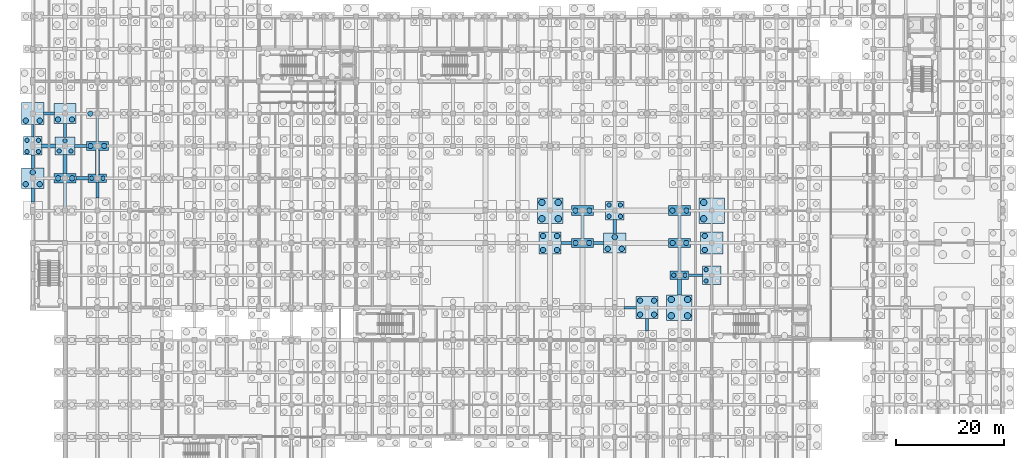
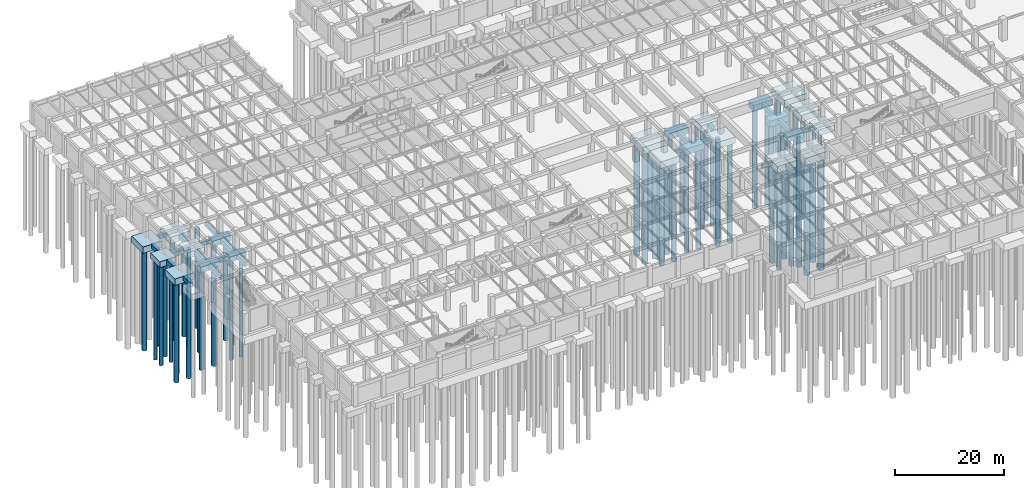
# One storey, part 8 of 54: 60 piles, 45 footings.
"""IFC4 building model written with IfcOpenShell, lengths in metres."""

from ifc_helpers import new_model, si_unit, direction, frame, origin, origin_2d, place, context, subcontext, project, spatial, rectangle, circle, extrude, material, material_profile, profile_set, type_object, element, save


model = new_model("IFC4")

# Units and contexts
model_context = context("Model", 3, precision=1e-05, world=origin(), true_north=direction((0.0, 1.0)))
body_context = subcontext(model_context, "Body", "Model", "MODEL_VIEW")
ifc_project = project(units=[si_unit("LENGTHUNIT", "METRE"), si_unit("AREAUNIT", "SQUARE_METRE"), si_unit("VOLUMEUNIT", "CUBIC_METRE"), si_unit("PLANEANGLEUNIT", "RADIAN"), si_unit("MASSUNIT", "GRAM", prefix="KILO"), si_unit("THERMODYNAMICTEMPERATUREUNIT", "KELVIN"), si_unit("POWERUNIT", "WATT")], contexts=[model_context])

# Site, building, storey
site_placement = place(None, origin())
site = spatial("IfcSite", under=ifc_project, at=site_placement, CompositionType="ELEMENT")
building_placement = place(site_placement, origin())
building = spatial("IfcBuilding", under=site, at=building_placement, Name="Phaisarnlok Congress Hotel", CompositionType="ELEMENT")
storey_placement = place(building_placement, frame((0.0, 0.0, -4.800048828125)))
storey = spatial("IfcBuildingStorey", under=building, at=storey_placement, Name="B01", CompositionType="ELEMENT", Elevation=-4.800048828125)

# Footings
ifc_material_1 = material(Name="Concrete C40/50", Category="concrete")
footing_type_1 = type_object("IfcFootingType", Name="CAP-2P-A", PredefinedType="PILE_CAP", material=ifc_material_1)
for number, where, z_axis, x_axis, name in (
    (1, (12.0, 66.0, -1.69970703125), (0.0, 0.0, 1.0), (1.0, 0.0, 0.0), "Pile cap PC-01 at (12,66)"),
    (2, (120.0, 48.0, -1.69970703125), (0.0, 0.0, 1.0), (1.0, 0.0, 0.0), "Pile cap PC-01 at (120,48)"),
):
    element("IfcFooting", number, at=place(storey_placement, frame(where, z_axis=z_axis, x_axis=x_axis)), inside=storey, type_object=footing_type_1, Name=name, PredefinedType="PILE_CAP", context=body_context, shape_type="SweptSolid", body=[
        extrude(rectangle(XDim=3.43994140625, YDim=1.5400390625, at=origin_2d()), origin(), (0.0, 0.0, 1.0), 1.199951171875),
    ])
footing_type_2 = type_object("IfcFootingType", Name="CAP-2P-B", PredefinedType="PILE_CAP", material=ifc_material_1)
for number, where, z_axis, x_axis, name in (
    (3, (12.0, 72.0, -1.7998046875), (0.0, 0.0, 1.0), (1.0, 0.0, 0.0), "Pile cap PC-02 at (12,72)"),
    (4, (102.0, 54.0, -1.7998046875), (0.0, 0.0, 1.0), (1.0, 0.0, 0.0), "Pile cap PC-02 at (102,54)"),
    (5, (120.0, 54.0, -1.7998046875), (0.0, 0.0, 1.0), (1.0, 0.0, 0.0), "Pile cap PC-02 at (120,54)"),
):
    element("IfcFooting", number, at=place(storey_placement, frame(where, z_axis=z_axis, x_axis=x_axis)), inside=storey, type_object=footing_type_2, Name=name, PredefinedType="PILE_CAP", context=body_context, shape_type="SweptSolid", body=[
        extrude(rectangle(XDim=4.080078125, YDim=1.639892578125, at=origin_2d()), origin(), (0.0, 0.0, 1.0), 1.300048828125),
    ])
footing_type_3 = type_object("IfcFootingType", Name="CAP-2P-C", PredefinedType="PILE_CAP", material=ifc_material_1)
for number, where, z_axis, x_axis, name in (
    (6, (6.0, 66.0, -1.89990234375), (0.0, 0.0, 1.0), (1.0, 0.0, 0.0), "Pile cap PC-03 at (6,66)"),
    (7, (102.0, 60.0, -1.89990234375), (0.0, 0.0, 1.0), (1.0, 0.0, 0.0), "Pile cap PC-03 at (102,60)"),
    (8, (120.0, 60.0, -1.89990234375), (0.0, 0.0, 1.0), (1.0, 0.0, 0.0), "Pile cap PC-03 at (120,60)"),
):
    element("IfcFooting", number, at=place(storey_placement, frame(where, z_axis=z_axis, x_axis=x_axis)), inside=storey, type_object=footing_type_3, Name=name, PredefinedType="PILE_CAP", context=body_context, shape_type="SweptSolid", body=[
        extrude(rectangle(XDim=4.1201171875, YDim=1.840087890625, at=origin_2d()), origin(), (0.0, 0.0, 1.0), 1.39990234375),
    ])
footing_type_4 = type_object("IfcFootingType", Name="CAP-3P-A", PredefinedType="PILE_CAP", material=ifc_material_1)
footing_1_placement = place(storey_placement, frame((6.0, 72.0, -1.85009765625), z_axis=(0.0, 0.0, 1.0), x_axis=(1.0, 0.0, 0.0)))
element("IfcFooting", 9, at=footing_1_placement, inside=storey, type_object=footing_type_4, Name="Pile cap PC-04 at (6,72)", PredefinedType="PILE_CAP", context=body_context, shape_type="SweptSolid", body=[
    extrude(rectangle(XDim=3.639892578125, YDim=3.340087890625, at=origin_2d()), origin(), (0.0, 0.0, 1.0), 1.35009765625),
])
footing_type_5 = type_object("IfcFootingType", Name="CAP-3P-B", PredefinedType="PILE_CAP", material=ifc_material_1)
for number, where, z_axis, x_axis, name in (
    (10, (0.0, 66.0, -1.94970703125), (0.0, 0.0, 1.0), (1.0, 0.0, 0.0), "Pile cap PC-05 at (0,66)"),
    (11, (6.0, 78.0, -1.94970703125), (0.0, 0.0, 1.0), (1.0, 0.0, 0.0), "Pile cap PC-05 at (6,78)"),
    (12, (108.0, 54.0, -1.94970703125), (0.0, 0.0, 1.0), (1.0, 0.0, 0.0), "Pile cap PC-05 at (108,54)"),
):
    element("IfcFooting", number, at=place(storey_placement, frame(where, z_axis=z_axis, x_axis=x_axis)), inside=storey, type_object=footing_type_5, Name=name, PredefinedType="PILE_CAP", context=body_context, shape_type="SweptSolid", body=[
        extrude(rectangle(XDim=4.1201171875, YDim=3.739990234375, at=origin_2d()), origin(), (0.0, 0.0, 1.0), 1.449951171875),
    ])
footing_type_6 = type_object("IfcFootingType", Name="CAP-4P-A", PredefinedType="PILE_CAP", material=ifc_material_1)
for number, where, z_axis, x_axis, name in (
    (13, (0.0, 72.0, -1.7998046875), (0.0, 0.0, 1.0), (1.0, 0.0, 0.0), "Pile cap PC-06 at (0,72)"),
    (14, (108.0, 60.0, -1.7998046875), (0.0, 0.0, 1.0), (1.0, 0.0, 0.0), "Pile cap PC-06 at (108,60)"),
    (15, (126.0, 48.0, -1.7998046875), (0.0, 0.0, 1.0), (1.0, 0.0, 0.0), "Pile cap PC-06 at (126,48)"),
):
    element("IfcFooting", number, at=place(storey_placement, frame(where, z_axis=z_axis, x_axis=x_axis)), inside=storey, type_object=footing_type_6, Name=name, PredefinedType="PILE_CAP", context=body_context, shape_type="SweptSolid", body=[
        extrude(rectangle(XDim=3.43994140625, YDim=3.43994140625, at=origin_2d()), origin(), (0.0, 0.0, 1.0), 1.300048828125),
    ])
footing_type_7 = type_object("IfcFootingType", Name="CAP-4P-B", PredefinedType="PILE_CAP", material=ifc_material_1)
for number, where, z_axis, x_axis, name in (
    (16, (0.0, 78.0, -1.94970703125), (0.0, 0.0, 1.0), (1.0, 0.0, 0.0), "Pile cap PC-07 at (0,78)"),
    (17, (96.0, 54.0, -1.94970703125), (0.0, 0.0, 1.0), (1.0, 0.0, 0.0), "Pile cap PC-07 at (96,54)"),
    (18, (114.0, 42.0, -1.94970703125), (0.0, 0.0, 1.0), (1.0, 0.0, 0.0), "Pile cap PC-07 at (114,42)"),
    (19, (126.0, 54.0, -1.94970703125), (0.0, 0.0, 1.0), (1.0, 0.0, 0.0), "Pile cap PC-07 at (126,54)"),
):
    element("IfcFooting", number, at=place(storey_placement, frame(where, z_axis=z_axis, x_axis=x_axis)), inside=storey, type_object=footing_type_7, Name=name, PredefinedType="PILE_CAP", context=body_context, shape_type="SweptSolid", body=[
        extrude(rectangle(XDim=4.1201171875, YDim=4.1201171875, at=origin_2d()), origin(), (0.0, 0.0, 1.0), 1.449951171875),
    ])
footing_type_8 = type_object("IfcFootingType", Name="CAP-4P-C", PredefinedType="PILE_CAP", material=ifc_material_1)
for number, where, z_axis, x_axis, name in (
    (20, (96.0, 60.0, -2.10009765625), (0.0, 0.0, 1.0), (1.0, 0.0, 0.0), "Pile cap PC-08 at (96,60)"),
    (21, (120.0, 42.0, -2.10009765625), (0.0, 0.0, 1.0), (1.0, 0.0, 0.0), "Pile cap PC-08 at (120,42)"),
    (22, (126.0, 60.0, -2.10009765625), (0.0, 0.0, 1.0), (1.0, 0.0, 0.0), "Pile cap PC-08 at (126,60)"),
):
    element("IfcFooting", number, at=place(storey_placement, frame(where, z_axis=z_axis, x_axis=x_axis)), inside=storey, type_object=footing_type_8, Name=name, PredefinedType="PILE_CAP", context=body_context, shape_type="SweptSolid", body=[
        extrude(rectangle(XDim=4.719970703125, YDim=4.760009765625, at=origin_2d()), origin(), (0.0, 0.0, 1.0), 1.60009765625),
    ])
ifc_material_profile_1 = material_profile(ifc_material_1, rectangle(XDim=0.5, YDim=0.800048828125, at=origin_2d()), Name="FB-500x800")
ifc_profile_set_1 = profile_set([ifc_material_profile_1], Name="Concrete C40/50")
footing_type_9 = type_object("IfcFootingType", Name="FB-500x800", PredefinedType="FOOTING_BEAM", material=ifc_profile_set_1)
footing_2_placement = place(storey_placement, frame((0.0, 73.64501953125, -0.89990234375), z_axis=(0.0, 1.0, 0.0), x_axis=(-1.0, 0.0, 0.0)))
element("IfcFooting", 23, at=footing_2_placement, inside=storey, type_object=footing_type_9, Name="Ground tie beam FB-01", PredefinedType="FOOTING_BEAM", context=body_context, shape_type="SweptSolid", body=[
    extrude(rectangle(XDim=0.5, YDim=0.800048828125, at=origin_2d()), origin(), (0.0, 0.0, 1.0), 2.369873046875),
])
footing_3_placement = place(storey_placement, frame((7.7451171875, 72.0, -0.89990234375), z_axis=(1.0, 0.0, 0.0), x_axis=(0.0, 1.0, 0.0)))
element("IfcFooting", 24, at=footing_3_placement, inside=storey, type_object=footing_type_9, Name="Ground tie beam FB-01", PredefinedType="FOOTING_BEAM", context=body_context, shape_type="SweptSolid", body=[
    extrude(rectangle(XDim=0.5, YDim=0.800048828125, at=origin_2d()), origin(), (0.0, 0.0, 1.0), 2.289794921875),
])
footing_4_placement = place(storey_placement, frame((12.0, 72.7451171875, -0.89990234375), z_axis=(0.0, 1.0, 0.0), x_axis=(-1.0, 0.0, 0.0)))
element("IfcFooting", 25, at=footing_4_placement, inside=storey, type_object=footing_type_9, Name="Ground tie beam FB-01", PredefinedType="FOOTING_BEAM", context=body_context, shape_type="SweptSolid", body=[
    extrude(rectangle(XDim=0.5, YDim=0.800048828125, at=origin_2d()), origin(), (0.0, 0.0, 1.0), 4.409912109375),
])
footing_5_placement = place(storey_placement, frame((97.985107421875, 54.0, -0.89990234375), z_axis=(1.0, 0.0, 0.0), x_axis=(0.0, 1.0, 0.0)))
element("IfcFooting", 26, at=footing_5_placement, inside=storey, type_object=footing_type_9, Name="Ground tie beam FB-01", PredefinedType="FOOTING_BEAM", context=body_context, shape_type="SweptSolid", body=[
    extrude(rectangle(XDim=0.5, YDim=0.800048828125, at=origin_2d()), origin(), (0.0, 0.0, 1.0), 2.0498046875),
])
footing_6_placement = place(storey_placement, frame((109.7451171875, 42.0, -0.89990234375), z_axis=(1.0, 0.0, 0.0), x_axis=(0.0, 1.0, 0.0)))
element("IfcFooting", 27, at=footing_6_placement, inside=storey, type_object=footing_type_9, Name="Ground tie beam FB-01", PredefinedType="FOOTING_BEAM", context=body_context, shape_type="SweptSolid", body=[
    extrude(rectangle(XDim=0.5, YDim=0.800048828125, at=origin_2d()), origin(), (0.0, 0.0, 1.0), 2.269775390625),
])
footing_7_placement = place(storey_placement, frame((121.64501953125, 48.0, -0.89990234375), z_axis=(1.0, 0.0, 0.0), x_axis=(0.0, 1.0, 0.0)))
element("IfcFooting", 28, at=footing_7_placement, inside=storey, type_object=footing_type_9, Name="Ground tie beam FB-01", PredefinedType="FOOTING_BEAM", context=body_context, shape_type="SweptSolid", body=[
    extrude(rectangle(XDim=0.5, YDim=0.800048828125, at=origin_2d()), origin(), (0.0, 0.0, 1.0), 2.7099609375),
])
ifc_material_profile_2 = material_profile(ifc_material_1, rectangle(XDim=0.60009765625, YDim=1.0, at=origin_2d()), Name="FB-600x1000")
ifc_profile_set_2 = profile_set([ifc_material_profile_2], Name="Concrete C40/50")
footing_type_10 = type_object("IfcFootingType", Name="FB-600x1000", PredefinedType="FOOTING_BEAM", material=ifc_profile_set_2)
footing_8_placement = place(storey_placement, frame((0.0, 67.794921875, -1.0), z_axis=(0.0, 1.0, 0.0), x_axis=(-1.0, 0.0, 0.0)))
element("IfcFooting", 29, at=footing_8_placement, inside=storey, type_object=footing_type_10, Name="Ground tie beam FB-03", PredefinedType="FOOTING_BEAM", context=body_context, shape_type="SweptSolid", body=[
    extrude(rectangle(XDim=0.60009765625, YDim=1.0, at=origin_2d()), origin(), (0.0, 0.0, 1.0), 2.56005859375),
])
footing_9_placement = place(storey_placement, frame((7.985107421875, 66.0, -1.0), z_axis=(1.0, 0.0, 0.0), x_axis=(0.0, 1.0, 0.0)))
element("IfcFooting", 30, at=footing_9_placement, inside=storey, type_object=footing_type_10, Name="Ground tie beam FB-03", PredefinedType="FOOTING_BEAM", context=body_context, shape_type="SweptSolid", body=[
    extrude(rectangle(XDim=0.60009765625, YDim=1.0, at=origin_2d()), origin(), (0.0, 0.0, 1.0), 2.369873046875),
])
footing_10_placement = place(storey_placement, frame((12.0, 62.304931640625, -1.0), z_axis=(0.0, 1.0, 0.0), x_axis=(-1.0, 0.0, 0.0)))
element("IfcFooting", 31, at=footing_10_placement, inside=storey, type_object=footing_type_10, Name="Ground tie beam FB-03", PredefinedType="FOOTING_BEAM", context=body_context, shape_type="SweptSolid", body=[
    extrude(rectangle(XDim=0.60009765625, YDim=1.0, at=origin_2d()), origin(), (0.0, 0.0, 1.0), 3.0),
])
for number, where, z_axis, x_axis, name in (
    (32, (102.0, 54.7451171875, -1.0), (0.0, 1.0, 0.0), (-1.0, 0.0, 0.0), "Ground tie beam FB-03"),
    (33, (120.0, 54.7451171875, -1.0), (0.0, 1.0, 0.0), (-1.0, 0.0, 0.0), "Ground tie beam FB-03"),
):
    element("IfcFooting", number, at=place(storey_placement, frame(where, z_axis=z_axis, x_axis=x_axis)), inside=storey, type_object=footing_type_10, Name=name, PredefinedType="FOOTING_BEAM", context=body_context, shape_type="SweptSolid", body=[
        extrude(rectangle(XDim=0.60009765625, YDim=1.0, at=origin_2d()), origin(), (0.0, 0.0, 1.0), 4.409912109375),
    ])
ifc_material_profile_3 = material_profile(ifc_material_1, rectangle(XDim=0.60009765625, YDim=0.89990234375, at=origin_2d()), Name="FB-600x900")
ifc_profile_set_3 = profile_set([ifc_material_profile_3], Name="Concrete C40/50")
footing_type_11 = type_object("IfcFootingType", Name="FB-600x900", PredefinedType="FOOTING_BEAM", material=ifc_profile_set_3)
footing_11_placement = place(storey_placement, frame((0.0, 61.594970703125, -0.949951171875), z_axis=(0.0, 1.0, 0.0), x_axis=(-1.0, 0.0, 0.0)))
element("IfcFooting", 34, at=footing_11_placement, inside=storey, type_object=footing_type_11, Name="Ground tie beam FB-02", PredefinedType="FOOTING_BEAM", context=body_context, shape_type="SweptSolid", body=[
    extrude(rectangle(XDim=0.60009765625, YDim=0.89990234375, at=origin_2d()), origin(), (0.0, 0.0, 1.0), 2.610107421875),
])
footing_12_placement = place(storey_placement, frame((1.985107421875, 78.0, -0.949951171875), z_axis=(1.0, 0.0, 0.0), x_axis=(0.0, 1.0, 0.0)))
element("IfcFooting", 35, at=footing_12_placement, inside=storey, type_object=footing_type_11, Name="Ground tie beam FB-02", PredefinedType="FOOTING_BEAM", context=body_context, shape_type="SweptSolid", body=[
    extrude(rectangle(XDim=0.60009765625, YDim=0.89990234375, at=origin_2d()), origin(), (0.0, 0.0, 1.0), 2.02978515625),
])
footing_13_placement = place(storey_placement, frame((6.0, 60.7451171875, -0.949951171875), z_axis=(0.0, 1.0, 0.0), x_axis=(-1.0, 0.0, 0.0)))
element("IfcFooting", 36, at=footing_13_placement, inside=storey, type_object=footing_type_11, Name="Ground tie beam FB-02", PredefinedType="FOOTING_BEAM", context=body_context, shape_type="SweptSolid", body=[
    extrude(rectangle(XDim=0.60009765625, YDim=0.89990234375, at=origin_2d()), origin(), (0.0, 0.0, 1.0), 4.409912109375),
])
footing_14_placement = place(storey_placement, frame((6.0, 73.594970703125, -0.949951171875), z_axis=(0.0, 1.0, 0.0), x_axis=(-1.0, 0.0, 0.0)))
element("IfcFooting", 37, at=footing_14_placement, inside=storey, type_object=footing_type_11, Name="Ground tie beam FB-02", PredefinedType="FOOTING_BEAM", context=body_context, shape_type="SweptSolid", body=[
    extrude(rectangle(XDim=0.60009765625, YDim=0.89990234375, at=origin_2d()), origin(), (0.0, 0.0, 1.0), 2.610107421875),
])
footing_15_placement = place(storey_placement, frame((103.965087890625, 54.0, -0.949951171875), z_axis=(1.0, 0.0, 0.0), x_axis=(0.0, 1.0, 0.0)))
element("IfcFooting", 38, at=footing_15_placement, inside=storey, type_object=footing_type_11, Name="Ground tie beam FB-02", PredefinedType="FOOTING_BEAM", context=body_context, shape_type="SweptSolid", body=[
    extrude(rectangle(XDim=0.60009765625, YDim=0.89990234375, at=origin_2d()), origin(), (0.0, 0.0, 1.0), 2.0498046875),
])
footing_16_placement = place(storey_placement, frame((108.0, 55.794921875, -0.949951171875), z_axis=(0.0, 1.0, 0.0), x_axis=(-1.0, 0.0, 0.0)))
element("IfcFooting", 39, at=footing_16_placement, inside=storey, type_object=footing_type_11, Name="Ground tie beam FB-02", PredefinedType="FOOTING_BEAM", context=body_context, shape_type="SweptSolid", body=[
    extrude(rectangle(XDim=0.60009765625, YDim=0.89990234375, at=origin_2d()), origin(), (0.0, 0.0, 1.0), 2.56005859375),
])
footing_17_placement = place(storey_placement, frame((114.0, 37.64501953125, -0.949951171875), z_axis=(0.0, 1.0, 0.0), x_axis=(-1.0, 0.0, 0.0)))
element("IfcFooting", 40, at=footing_17_placement, inside=storey, type_object=footing_type_11, Name="Ground tie beam FB-02", PredefinedType="FOOTING_BEAM", context=body_context, shape_type="SweptSolid", body=[
    extrude(rectangle(XDim=0.60009765625, YDim=0.89990234375, at=origin_2d()), origin(), (0.0, 0.0, 1.0), 2.369873046875),
])
footing_18_placement = place(storey_placement, frame((120.0, 48.695068359375, -0.949951171875), z_axis=(0.0, 1.0, 0.0), x_axis=(-1.0, 0.0, 0.0)))
element("IfcFooting", 41, at=footing_18_placement, inside=storey, type_object=footing_type_11, Name="Ground tie beam FB-02", PredefinedType="FOOTING_BEAM", context=body_context, shape_type="SweptSolid", body=[
    extrude(rectangle(XDim=0.60009765625, YDim=0.89990234375, at=origin_2d()), origin(), (0.0, 0.0, 1.0), 4.559814453125),
])
ifc_material_profile_4 = material_profile(ifc_material_1, rectangle(XDim=0.699951171875, YDim=1.10009765625, at=origin_2d()), Name="FB-700x1100")
ifc_profile_set_4 = profile_set([ifc_material_profile_4], Name="Concrete C40/50")
footing_type_12 = type_object("IfcFootingType", Name="FB-700x1100", PredefinedType="FOOTING_BEAM", material=ifc_profile_set_4)
footing_19_placement = place(storey_placement, frame((1.64501953125, 72.0, -1.050048828125), z_axis=(1.0, 0.0, 0.0), x_axis=(0.0, 1.0, 0.0)))
element("IfcFooting", 42, at=footing_19_placement, inside=storey, type_object=footing_type_12, Name="Ground tie beam FB-04", PredefinedType="FOOTING_BEAM", context=body_context, shape_type="SweptSolid", body=[
    extrude(rectangle(XDim=0.699951171875, YDim=1.10009765625, at=origin_2d()), origin(), (0.0, 0.0, 1.0), 2.60986328125),
])
footing_20_placement = place(storey_placement, frame((6.0, 66.844970703125, -1.050048828125), z_axis=(0.0, 1.0, 0.0), x_axis=(-1.0, 0.0, 0.0)))
element("IfcFooting", 43, at=footing_20_placement, inside=storey, type_object=footing_type_12, Name="Ground tie beam FB-04", PredefinedType="FOOTING_BEAM", context=body_context, shape_type="SweptSolid", body=[
    extrude(rectangle(XDim=0.699951171875, YDim=1.10009765625, at=origin_2d()), origin(), (0.0, 0.0, 1.0), 3.56005859375),
])
footing_21_placement = place(storey_placement, frame((12.0, 66.695068359375, -1.050048828125), z_axis=(0.0, 1.0, 0.0), x_axis=(-1.0, 0.0, 0.0)))
element("IfcFooting", 44, at=footing_21_placement, inside=storey, type_object=footing_type_12, Name="Ground tie beam FB-04", PredefinedType="FOOTING_BEAM", context=body_context, shape_type="SweptSolid", body=[
    extrude(rectangle(XDim=0.699951171875, YDim=1.10009765625, at=origin_2d()), origin(), (0.0, 0.0, 1.0), 4.559814453125),
])
footing_22_placement = place(storey_placement, frame((120.0, 44.304931640625, -1.050048828125), z_axis=(0.0, 1.0, 0.0), x_axis=(-1.0, 0.0, 0.0)))
element("IfcFooting", 45, at=footing_22_placement, inside=storey, type_object=footing_type_12, Name="Ground tie beam FB-04", PredefinedType="FOOTING_BEAM", context=body_context, shape_type="SweptSolid", body=[
    extrude(rectangle(XDim=0.699951171875, YDim=1.10009765625, at=origin_2d()), origin(), (0.0, 0.0, 1.0), 3.0),
])

# Piles
ifc_material_2 = material(Name="Concrete C35/45", Category="concrete")
ifc_material_profile_5 = material_profile(ifc_material_2, circle(Radius=0.5, at=origin_2d()), Name="BORED PILE D1000")
ifc_profile_set_5 = profile_set([ifc_material_profile_5], Name="Concrete C35/45")
pile_type_1 = type_object("IfcPileType", Name="PILE-D1000", PredefinedType="BORED", material=ifc_profile_set_5)
for number, where, z_axis, x_axis, name in (
    (46, (-1.300048828125, 64.89990234375, -1.849853515625), (0.0, 0.0, -1.0), (1.0, 0.0, 0.0), "Bored pile PL-02 (FTG-B01-000-066-1)"),
    (47, (1.300048828125, 64.89990234375, -1.849853515625), (0.0, 0.0, -1.0), (1.0, 0.0, 0.0), "Bored pile PL-02 (FTG-B01-000-066-2)"),
    (48, (0.0, 67.10009765625, -1.849853515625), (0.0, 0.0, -1.0), (1.0, 0.0, 0.0), "Bored pile PL-02 (FTG-B01-000-066-3)"),
    (49, (-1.300048828125, 76.699951171875, -1.849853515625), (0.0, 0.0, -1.0), (1.0, 0.0, 0.0), "Bored pile PL-02 (FTG-B01-000-078-1)"),
    (50, (1.300048828125, 76.699951171875, -1.849853515625), (0.0, 0.0, -1.0), (1.0, 0.0, 0.0), "Bored pile PL-02 (FTG-B01-000-078-2)"),
):
    element("IfcPile", number, at=place(storey_placement, frame(where, z_axis=z_axis, x_axis=x_axis)), inside=storey, type_object=pile_type_1, Name=name, PredefinedType="BORED", context=body_context, shape_type="SweptSolid", body=[
        extrude(circle(Radius=0.5, at=origin_2d()), origin(), (0.0, 0.0, 1.0), 22.35009765625),
    ])
for number, where, z_axis, x_axis, name in (
    (51, (4.699951171875, 66.0, -1.800048828125), (0.0, 0.0, -1.0), (1.0, 0.0, 0.0), "Bored pile PL-02 (FTG-B01-006-066-1)"),
    (52, (7.300048828125, 66.0, -1.800048828125), (0.0, 0.0, -1.0), (1.0, 0.0, 0.0), "Bored pile PL-02 (FTG-B01-006-066-2)"),
):
    element("IfcPile", number, at=place(storey_placement, frame(where, z_axis=z_axis, x_axis=x_axis)), inside=storey, type_object=pile_type_1, Name=name, PredefinedType="BORED", context=body_context, shape_type="SweptSolid", body=[
        extrude(circle(Radius=0.5, at=origin_2d()), origin(), (0.0, 0.0, 1.0), 22.39990234375),
    ])
for number, where, z_axis, x_axis, name in (
    (53, (4.699951171875, 76.89990234375, -1.849853515625), (0.0, 0.0, -1.0), (1.0, 0.0, 0.0), "Bored pile PL-02 (FTG-B01-006-078-1)"),
    (54, (7.300048828125, 76.89990234375, -1.849853515625), (0.0, 0.0, -1.0), (1.0, 0.0, 0.0), "Bored pile PL-02 (FTG-B01-006-078-2)"),
):
    element("IfcPile", number, at=place(storey_placement, frame(where, z_axis=z_axis, x_axis=x_axis)), inside=storey, type_object=pile_type_1, Name=name, PredefinedType="BORED", context=body_context, shape_type="SweptSolid", body=[
        extrude(circle(Radius=0.5, at=origin_2d()), origin(), (0.0, 0.0, 1.0), 22.35009765625),
    ])
for number, where, z_axis, x_axis, name in (
    (55, (10.739990234375, 72.0, -1.699951171875), (0.0, 0.0, -1.0), (1.0, 0.0, 0.0), "Bored pile PL-02 (FTG-B01-012-072-1)"),
    (56, (13.260009765625, 72.0, -1.699951171875), (0.0, 0.0, -1.0), (1.0, 0.0, 0.0), "Bored pile PL-02 (FTG-B01-012-072-2)"),
):
    element("IfcPile", number, at=place(storey_placement, frame(where, z_axis=z_axis, x_axis=x_axis)), inside=storey, type_object=pile_type_1, Name=name, PredefinedType="BORED", context=body_context, shape_type="SweptSolid", body=[
        extrude(circle(Radius=0.5, at=origin_2d()), origin(), (0.0, 0.0, 1.0), 22.5),
    ])
pile_placement = place(storey_placement, frame((10.699951171875, 78.0, -1.800048828125), z_axis=(0.0, 0.0, -1.0), x_axis=(1.0, 0.0, 0.0)))
element("IfcPile", 57, at=pile_placement, inside=storey, type_object=pile_type_1, Name="Bored pile PL-02 (FTG-B01-012-078-1)", PredefinedType="BORED", context=body_context, shape_type="SweptSolid", body=[
    extrude(circle(Radius=0.5, at=origin_2d()), origin(), (0.0, 0.0, 1.0), 22.39990234375),
])
for number, where, z_axis, x_axis, name in (
    (58, (94.699951171875, 52.699951171875, -1.849853515625), (0.0, 0.0, -1.0), (1.0, 0.0, 0.0), "Bored pile PL-02 (FTG-B01-096-054-1)"),
    (59, (97.300048828125, 52.699951171875, -1.849853515625), (0.0, 0.0, -1.0), (1.0, 0.0, 0.0), "Bored pile PL-02 (FTG-B01-096-054-2)"),
    (60, (94.699951171875, 55.300048828125, -1.849853515625), (0.0, 0.0, -1.0), (1.0, 0.0, 0.0), "Bored pile PL-02 (FTG-B01-096-054-3)"),
    (61, (97.300048828125, 55.300048828125, -1.849853515625), (0.0, 0.0, -1.0), (1.0, 0.0, 0.0), "Bored pile PL-02 (FTG-B01-096-054-4)"),
):
    element("IfcPile", number, at=place(storey_placement, frame(where, z_axis=z_axis, x_axis=x_axis)), inside=storey, type_object=pile_type_1, Name=name, PredefinedType="BORED", context=body_context, shape_type="SweptSolid", body=[
        extrude(circle(Radius=0.5, at=origin_2d()), origin(), (0.0, 0.0, 1.0), 22.35009765625),
    ])
for number, where, z_axis, x_axis, name in (
    (62, (100.739990234375, 54.0, -1.699951171875), (0.0, 0.0, -1.0), (1.0, 0.0, 0.0), "Bored pile PL-02 (FTG-B01-102-054-1)"),
    (63, (103.260009765625, 54.0, -1.699951171875), (0.0, 0.0, -1.0), (1.0, 0.0, 0.0), "Bored pile PL-02 (FTG-B01-102-054-2)"),
):
    element("IfcPile", number, at=place(storey_placement, frame(where, z_axis=z_axis, x_axis=x_axis)), inside=storey, type_object=pile_type_1, Name=name, PredefinedType="BORED", context=body_context, shape_type="SweptSolid", body=[
        extrude(circle(Radius=0.5, at=origin_2d()), origin(), (0.0, 0.0, 1.0), 22.5),
    ])
for number, where, z_axis, x_axis, name in (
    (64, (100.699951171875, 60.0, -1.800048828125), (0.0, 0.0, -1.0), (1.0, 0.0, 0.0), "Bored pile PL-02 (FTG-B01-102-060-1)"),
    (65, (103.300048828125, 60.0, -1.800048828125), (0.0, 0.0, -1.0), (1.0, 0.0, 0.0), "Bored pile PL-02 (FTG-B01-102-060-2)"),
):
    element("IfcPile", number, at=place(storey_placement, frame(where, z_axis=z_axis, x_axis=x_axis)), inside=storey, type_object=pile_type_1, Name=name, PredefinedType="BORED", context=body_context, shape_type="SweptSolid", body=[
        extrude(circle(Radius=0.5, at=origin_2d()), origin(), (0.0, 0.0, 1.0), 22.39990234375),
    ])
for number, where, z_axis, x_axis, name in (
    (66, (106.699951171875, 52.89990234375, -1.849853515625), (0.0, 0.0, -1.0), (1.0, 0.0, 0.0), "Bored pile PL-02 (FTG-B01-108-054-1)"),
    (67, (109.300048828125, 52.89990234375, -1.849853515625), (0.0, 0.0, -1.0), (1.0, 0.0, 0.0), "Bored pile PL-02 (FTG-B01-108-054-2)"),
    (68, (108.0, 55.10009765625, -1.849853515625), (0.0, 0.0, -1.0), (1.0, 0.0, 0.0), "Bored pile PL-02 (FTG-B01-108-054-3)"),
    (69, (112.699951171875, 40.699951171875, -1.849853515625), (0.0, 0.0, -1.0), (1.0, 0.0, 0.0), "Bored pile PL-02 (FTG-B01-114-042-1)"),
    (70, (115.300048828125, 40.699951171875, -1.849853515625), (0.0, 0.0, -1.0), (1.0, 0.0, 0.0), "Bored pile PL-02 (FTG-B01-114-042-2)"),
    (71, (112.699951171875, 43.300048828125, -1.849853515625), (0.0, 0.0, -1.0), (1.0, 0.0, 0.0), "Bored pile PL-02 (FTG-B01-114-042-3)"),
    (72, (115.300048828125, 43.300048828125, -1.849853515625), (0.0, 0.0, -1.0), (1.0, 0.0, 0.0), "Bored pile PL-02 (FTG-B01-114-042-4)"),
):
    element("IfcPile", number, at=place(storey_placement, frame(where, z_axis=z_axis, x_axis=x_axis)), inside=storey, type_object=pile_type_1, Name=name, PredefinedType="BORED", context=body_context, shape_type="SweptSolid", body=[
        extrude(circle(Radius=0.5, at=origin_2d()), origin(), (0.0, 0.0, 1.0), 22.35009765625),
    ])
for number, where, z_axis, x_axis, name in (
    (73, (118.739990234375, 54.0, -1.699951171875), (0.0, 0.0, -1.0), (1.0, 0.0, 0.0), "Bored pile PL-02 (FTG-B01-120-054-1)"),
    (74, (121.260009765625, 54.0, -1.699951171875), (0.0, 0.0, -1.0), (1.0, 0.0, 0.0), "Bored pile PL-02 (FTG-B01-120-054-2)"),
):
    element("IfcPile", number, at=place(storey_placement, frame(where, z_axis=z_axis, x_axis=x_axis)), inside=storey, type_object=pile_type_1, Name=name, PredefinedType="BORED", context=body_context, shape_type="SweptSolid", body=[
        extrude(circle(Radius=0.5, at=origin_2d()), origin(), (0.0, 0.0, 1.0), 22.5),
    ])
for number, where, z_axis, x_axis, name in (
    (75, (118.699951171875, 60.0, -1.800048828125), (0.0, 0.0, -1.0), (1.0, 0.0, 0.0), "Bored pile PL-02 (FTG-B01-120-060-1)"),
    (76, (121.300048828125, 60.0, -1.800048828125), (0.0, 0.0, -1.0), (1.0, 0.0, 0.0), "Bored pile PL-02 (FTG-B01-120-060-2)"),
):
    element("IfcPile", number, at=place(storey_placement, frame(where, z_axis=z_axis, x_axis=x_axis)), inside=storey, type_object=pile_type_1, Name=name, PredefinedType="BORED", context=body_context, shape_type="SweptSolid", body=[
        extrude(circle(Radius=0.5, at=origin_2d()), origin(), (0.0, 0.0, 1.0), 22.39990234375),
    ])
for number, where, z_axis, x_axis, name in (
    (77, (124.699951171875, 52.699951171875, -1.849853515625), (0.0, 0.0, -1.0), (1.0, 0.0, 0.0), "Bored pile PL-02 (FTG-B01-126-054-1)"),
    (78, (124.699951171875, 55.300048828125, -1.849853515625), (0.0, 0.0, -1.0), (1.0, 0.0, 0.0), "Bored pile PL-02 (FTG-B01-126-054-3)"),
):
    element("IfcPile", number, at=place(storey_placement, frame(where, z_axis=z_axis, x_axis=x_axis)), inside=storey, type_object=pile_type_1, Name=name, PredefinedType="BORED", context=body_context, shape_type="SweptSolid", body=[
        extrude(circle(Radius=0.5, at=origin_2d()), origin(), (0.0, 0.0, 1.0), 22.35009765625),
    ])
ifc_material_profile_6 = material_profile(ifc_material_2, circle(Radius=0.60009765625, at=origin_2d()), Name="BORED PILE D1200")
ifc_profile_set_6 = profile_set([ifc_material_profile_6], Name="Concrete C35/45")
pile_type_2 = type_object("IfcPileType", Name="PILE-D1200", PredefinedType="BORED", material=ifc_profile_set_6)
for number, where, z_axis, x_axis, name in (
    (79, (94.489990234375, 58.489990234375, -2.0), (0.0, 0.0, -1.0), (1.0, 0.0, 0.0), "Bored pile PL-03 (FTG-B01-096-060-1)"),
    (80, (97.510009765625, 58.489990234375, -2.0), (0.0, 0.0, -1.0), (1.0, 0.0, 0.0), "Bored pile PL-03 (FTG-B01-096-060-2)"),
    (81, (94.489990234375, 61.510009765625, -2.0), (0.0, 0.0, -1.0), (1.0, 0.0, 0.0), "Bored pile PL-03 (FTG-B01-096-060-3)"),
    (82, (97.510009765625, 61.510009765625, -2.0), (0.0, 0.0, -1.0), (1.0, 0.0, 0.0), "Bored pile PL-03 (FTG-B01-096-060-4)"),
    (83, (118.489990234375, 40.489990234375, -2.0), (0.0, 0.0, -1.0), (1.0, 0.0, 0.0), "Bored pile PL-03 (FTG-B01-120-042-1)"),
    (84, (121.510009765625, 40.489990234375, -2.0), (0.0, 0.0, -1.0), (1.0, 0.0, 0.0), "Bored pile PL-03 (FTG-B01-120-042-2)"),
    (85, (118.489990234375, 43.510009765625, -2.0), (0.0, 0.0, -1.0), (1.0, 0.0, 0.0), "Bored pile PL-03 (FTG-B01-120-042-3)"),
    (86, (121.510009765625, 43.510009765625, -2.0), (0.0, 0.0, -1.0), (1.0, 0.0, 0.0), "Bored pile PL-03 (FTG-B01-120-042-4)"),
    (87, (124.489990234375, 58.489990234375, -2.0), (0.0, 0.0, -1.0), (1.0, 0.0, 0.0), "Bored pile PL-03 (FTG-B01-126-060-1)"),
    (88, (124.489990234375, 61.510009765625, -2.0), (0.0, 0.0, -1.0), (1.0, 0.0, 0.0), "Bored pile PL-03 (FTG-B01-126-060-3)"),
):
    element("IfcPile", number, at=place(storey_placement, frame(where, z_axis=z_axis, x_axis=x_axis)), inside=storey, type_object=pile_type_2, Name=name, PredefinedType="BORED", context=body_context, shape_type="SweptSolid", body=[
        extrude(circle(Radius=0.60009765625, at=origin_2d()), origin(), (0.0, 0.0, 1.0), 25.199951171875),
    ])
ifc_material_profile_7 = material_profile(ifc_material_2, circle(Radius=0.39990234375, at=origin_2d()), Name="BORED PILE D800")
ifc_profile_set_7 = profile_set([ifc_material_profile_7], Name="Concrete C35/45")
pile_type_3 = type_object("IfcPileType", Name="PILE-D800", PredefinedType="BORED", material=ifc_profile_set_7)
for number, where, z_axis, x_axis, name in (
    (89, (-1.050048828125, 70.949951171875, -1.699951171875), (0.0, 0.0, -1.0), (1.0, 0.0, 0.0), "Bored pile PL-01 (FTG-B01-000-072-1)"),
    (90, (1.050048828125, 70.949951171875, -1.699951171875), (0.0, 0.0, -1.0), (1.0, 0.0, 0.0), "Bored pile PL-01 (FTG-B01-000-072-2)"),
    (91, (-1.050048828125, 73.050048828125, -1.699951171875), (0.0, 0.0, -1.0), (1.0, 0.0, 0.0), "Bored pile PL-01 (FTG-B01-000-072-3)"),
    (92, (1.050048828125, 73.050048828125, -1.699951171875), (0.0, 0.0, -1.0), (1.0, 0.0, 0.0), "Bored pile PL-01 (FTG-B01-000-072-4)"),
):
    element("IfcPile", number, at=place(storey_placement, frame(where, z_axis=z_axis, x_axis=x_axis)), inside=storey, type_object=pile_type_3, Name=name, PredefinedType="BORED", context=body_context, shape_type="SweptSolid", body=[
        extrude(circle(Radius=0.39990234375, at=origin_2d()), origin(), (0.0, 0.0, 1.0), 22.5),
    ])
for number, where, z_axis, x_axis, name in (
    (93, (4.89990234375, 71.050048828125, -1.75), (0.0, 0.0, -1.0), (1.0, 0.0, 0.0), "Bored pile PL-01 (FTG-B01-006-072-1)"),
    (94, (7.10009765625, 71.050048828125, -1.75), (0.0, 0.0, -1.0), (1.0, 0.0, 0.0), "Bored pile PL-01 (FTG-B01-006-072-2)"),
    (95, (6.0, 72.949951171875, -1.75), (0.0, 0.0, -1.0), (1.0, 0.0, 0.0), "Bored pile PL-01 (FTG-B01-006-072-3)"),
):
    element("IfcPile", number, at=place(storey_placement, frame(where, z_axis=z_axis, x_axis=x_axis)), inside=storey, type_object=pile_type_3, Name=name, PredefinedType="BORED", context=body_context, shape_type="SweptSolid", body=[
        extrude(circle(Radius=0.39990234375, at=origin_2d()), origin(), (0.0, 0.0, 1.0), 22.449951171875),
    ])
for number, where, z_axis, x_axis, name in (
    (96, (10.949951171875, 66.0, -1.599853515625), (0.0, 0.0, -1.0), (1.0, 0.0, 0.0), "Bored pile PL-01 (FTG-B01-012-066-1)"),
    (97, (13.050048828125, 66.0, -1.599853515625), (0.0, 0.0, -1.0), (1.0, 0.0, 0.0), "Bored pile PL-01 (FTG-B01-012-066-2)"),
):
    element("IfcPile", number, at=place(storey_placement, frame(where, z_axis=z_axis, x_axis=x_axis)), inside=storey, type_object=pile_type_3, Name=name, PredefinedType="BORED", context=body_context, shape_type="SweptSolid", body=[
        extrude(circle(Radius=0.39990234375, at=origin_2d()), origin(), (0.0, 0.0, 1.0), 22.60009765625),
    ])
for number, where, z_axis, x_axis, name in (
    (98, (106.949951171875, 58.949951171875, -1.699951171875), (0.0, 0.0, -1.0), (1.0, 0.0, 0.0), "Bored pile PL-01 (FTG-B01-108-060-1)"),
    (99, (109.050048828125, 58.949951171875, -1.699951171875), (0.0, 0.0, -1.0), (1.0, 0.0, 0.0), "Bored pile PL-01 (FTG-B01-108-060-2)"),
    (100, (106.949951171875, 61.050048828125, -1.699951171875), (0.0, 0.0, -1.0), (1.0, 0.0, 0.0), "Bored pile PL-01 (FTG-B01-108-060-3)"),
    (101, (109.050048828125, 61.050048828125, -1.699951171875), (0.0, 0.0, -1.0), (1.0, 0.0, 0.0), "Bored pile PL-01 (FTG-B01-108-060-4)"),
):
    element("IfcPile", number, at=place(storey_placement, frame(where, z_axis=z_axis, x_axis=x_axis)), inside=storey, type_object=pile_type_3, Name=name, PredefinedType="BORED", context=body_context, shape_type="SweptSolid", body=[
        extrude(circle(Radius=0.39990234375, at=origin_2d()), origin(), (0.0, 0.0, 1.0), 22.5),
    ])
for number, where, z_axis, x_axis, name in (
    (102, (118.949951171875, 48.0, -1.599853515625), (0.0, 0.0, -1.0), (1.0, 0.0, 0.0), "Bored pile PL-01 (FTG-B01-120-048-1)"),
    (103, (121.050048828125, 48.0, -1.599853515625), (0.0, 0.0, -1.0), (1.0, 0.0, 0.0), "Bored pile PL-01 (FTG-B01-120-048-2)"),
):
    element("IfcPile", number, at=place(storey_placement, frame(where, z_axis=z_axis, x_axis=x_axis)), inside=storey, type_object=pile_type_3, Name=name, PredefinedType="BORED", context=body_context, shape_type="SweptSolid", body=[
        extrude(circle(Radius=0.39990234375, at=origin_2d()), origin(), (0.0, 0.0, 1.0), 22.60009765625),
    ])
for number, where, z_axis, x_axis, name in (
    (104, (124.949951171875, 46.949951171875, -1.699951171875), (0.0, 0.0, -1.0), (1.0, 0.0, 0.0), "Bored pile PL-01 (FTG-B01-126-048-1)"),
    (105, (124.949951171875, 49.050048828125, -1.699951171875), (0.0, 0.0, -1.0), (1.0, 0.0, 0.0), "Bored pile PL-01 (FTG-B01-126-048-3)"),
):
    element("IfcPile", number, at=place(storey_placement, frame(where, z_axis=z_axis, x_axis=x_axis)), inside=storey, type_object=pile_type_3, Name=name, PredefinedType="BORED", context=body_context, shape_type="SweptSolid", body=[
        extrude(circle(Radius=0.39990234375, at=origin_2d()), origin(), (0.0, 0.0, 1.0), 22.5),
    ])

save(model, "model.ifc")
